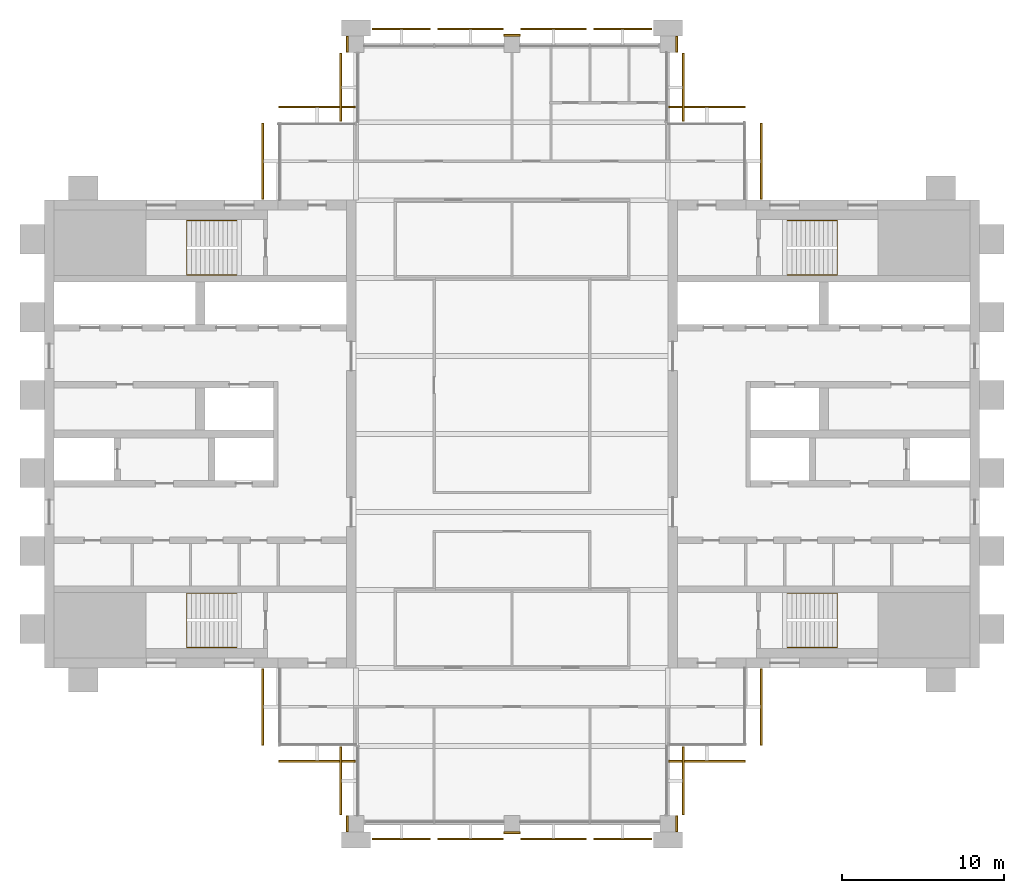
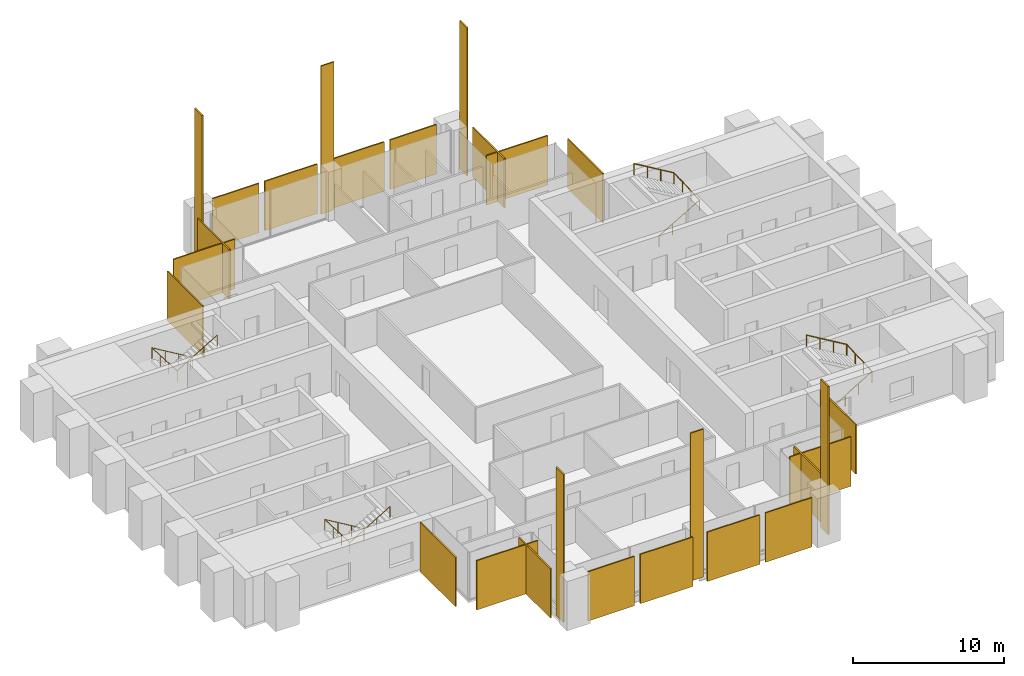
# One storey, part 13 of 13: 26 coverings, 4 railings.
"""IFC4 building model written with IfcOpenShell, lengths in metres."""

from ifc_helpers import new_model, si_unit, direction, frame, origin, origin_2d, place, context, subcontext, project, spatial, polyline, rectangle, circle, outline, extrude, material, layer, layer_set, type_object, element, save


model = new_model("IFC4")

# Units and contexts
model_context = context("Model", 3, precision=1e-05, world=origin(), true_north=direction((0.0, 1.0)))
body_context = subcontext(model_context, "Body", "Model", "MODEL_VIEW")
ifc_project = project(units=[si_unit("LENGTHUNIT", "METRE"), si_unit("AREAUNIT", "SQUARE_METRE"), si_unit("VOLUMEUNIT", "CUBIC_METRE"), si_unit("PLANEANGLEUNIT", "RADIAN"), si_unit("MASSUNIT", "GRAM", prefix="KILO")], contexts=[model_context])

# Site, building, storey
site_placement = place(None, origin())
site = spatial("IfcSite", under=ifc_project, at=site_placement, CompositionType="ELEMENT")
building_placement = place(site_placement, origin())
building = spatial("IfcBuilding", under=site, at=building_placement, Name="Baori Bourse Tower", CompositionType="ELEMENT")
storey_placement = place(building_placement, frame((0.0, 0.0, 330.300048828125)))
storey = spatial("IfcBuildingStorey", under=building, at=storey_placement, Name="L73", CompositionType="ELEMENT", Elevation=330.300048828125)

# Railings
ifc_material_1 = material(Name="Powder-coated steel balustrade", Category="steel")
railing_type = type_object("IfcRailingType", Name="Core stair handrail", PredefinedType="HANDRAIL", material=ifc_material_1)
railing_1_placement = place(storey_placement, frame((11.85009765625, 14.199951171875, 0.16650390625)))
element("IfcRailing", 1, at=railing_1_placement, inside=storey, type_object=railing_type, Name="L73 ST1 stair handrail 1", PredefinedType="HANDRAIL", context=body_context, shape_type="SweptSolid", body=[
    extrude(circle(Radius=0.02392578125, at=origin_2d()), frame((0.0, 0.0, 0.8759765625), z_axis=(-0.85927862911, 0.0, 0.511507807912), x_axis=(0.0, -1.0, 0.0)), (0.0, 0.0, 1.0), 3.58447265625),
    extrude(circle(Radius=0.02392578125, at=origin_2d()), frame((-3.080078125, 0.0, 2.70947265625), z_axis=(0.0, -0.998766999029, 0.049643545903), x_axis=(1.0, 0.0, 0.0)), (0.0, 0.0, 1.0), 3.35400390625),
    extrude(circle(Radius=0.02392578125, at=origin_2d()), frame((-3.080078125, -3.349853515625, 2.8759765625), z_axis=(0.85927862911, 0.0, 0.511507807912), x_axis=(0.0, 1.0, 0.0)), (0.0, 0.0, 1.0), 3.58447265625),
    extrude(circle(Radius=0.02099609375, at=origin_2d()), origin(), (0.0, 0.0, 1.0), 0.851806640625),
    extrude(circle(Radius=0.02099609375, at=origin_2d()), frame((-1.026611328125, 0.0, 0.611083984375)), (0.0, 0.0, 1.0), 0.851806640625),
    extrude(circle(Radius=0.02099609375, at=origin_2d()), frame((-2.053466796875, 0.0, 1.222412109375)), (0.0, 0.0, 1.0), 0.851806640625),
    extrude(circle(Radius=0.02099609375, at=origin_2d()), frame((-3.080078125, 0.0, 1.83349609375)), (0.0, 0.0, 1.0), 0.851806640625),
    extrude(circle(Radius=0.02099609375, at=origin_2d()), frame((-3.080078125, -1.11669921875, 1.888916015625)), (0.0, 0.0, 1.0), 0.851806640625),
    extrude(circle(Radius=0.02099609375, at=origin_2d()), frame((-3.080078125, -2.233154296875, 1.944580078125)), (0.0, 0.0, 1.0), 0.851806640625),
    extrude(circle(Radius=0.02099609375, at=origin_2d()), frame((-3.080078125, -3.349853515625, 2.0)), (0.0, 0.0, 1.0), 0.851806640625),
    extrude(circle(Radius=0.02099609375, at=origin_2d()), frame((-2.053466796875, -3.349853515625, 2.611083984375)), (0.0, 0.0, 1.0), 0.851806640625),
    extrude(circle(Radius=0.02099609375, at=origin_2d()), frame((-1.026611328125, -3.349853515625, 3.222412109375)), (0.0, 0.0, 1.0), 0.851806640625),
    extrude(circle(Radius=0.02099609375, at=origin_2d()), frame((0.0, -3.349853515625, 3.83349609375)), (0.0, 0.0, 1.0), 0.851806640625),
])
railing_2_placement = place(storey_placement, frame((11.85009765625, 37.14990234375, 0.16650390625)))
element("IfcRailing", 2, at=railing_2_placement, inside=storey, type_object=railing_type, Name="L73 ST2 stair handrail 1", PredefinedType="HANDRAIL", context=body_context, shape_type="SweptSolid", body=[
    extrude(circle(Radius=0.02392578125, at=origin_2d()), frame((0.0, 0.0, 0.8759765625), z_axis=(-0.85927862911, 0.0, 0.511507807912), x_axis=(0.0, -1.0, 0.0)), (0.0, 0.0, 1.0), 3.58447265625),
    extrude(circle(Radius=0.02392578125, at=origin_2d()), frame((-3.080078125, 0.0, 2.70947265625), z_axis=(0.0, -0.998766999029, 0.049643545903), x_axis=(1.0, 0.0, 0.0)), (0.0, 0.0, 1.0), 3.35400390625),
    extrude(circle(Radius=0.02392578125, at=origin_2d()), frame((-3.080078125, -3.349853515625, 2.8759765625), z_axis=(0.85927862911, 0.0, 0.511507807912), x_axis=(0.0, 1.0, 0.0)), (0.0, 0.0, 1.0), 3.58447265625),
    extrude(circle(Radius=0.02099609375, at=origin_2d()), origin(), (0.0, 0.0, 1.0), 0.851806640625),
    extrude(circle(Radius=0.02099609375, at=origin_2d()), frame((-1.026611328125, 0.0, 0.611083984375)), (0.0, 0.0, 1.0), 0.851806640625),
    extrude(circle(Radius=0.02099609375, at=origin_2d()), frame((-2.053466796875, 0.0, 1.222412109375)), (0.0, 0.0, 1.0), 0.851806640625),
    extrude(circle(Radius=0.02099609375, at=origin_2d()), frame((-3.080078125, 0.0, 1.83349609375)), (0.0, 0.0, 1.0), 0.851806640625),
    extrude(circle(Radius=0.02099609375, at=origin_2d()), frame((-3.080078125, -1.11669921875, 1.888916015625)), (0.0, 0.0, 1.0), 0.851806640625),
    extrude(circle(Radius=0.02099609375, at=origin_2d()), frame((-3.080078125, -2.233154296875, 1.944580078125)), (0.0, 0.0, 1.0), 0.851806640625),
    extrude(circle(Radius=0.02099609375, at=origin_2d()), frame((-3.080078125, -3.349853515625, 2.0)), (0.0, 0.0, 1.0), 0.851806640625),
    extrude(circle(Radius=0.02099609375, at=origin_2d()), frame((-2.053466796875, -3.349853515625, 2.611083984375)), (0.0, 0.0, 1.0), 0.851806640625),
    extrude(circle(Radius=0.02099609375, at=origin_2d()), frame((-1.026611328125, -3.349853515625, 3.222412109375)), (0.0, 0.0, 1.0), 0.851806640625),
    extrude(circle(Radius=0.02099609375, at=origin_2d()), frame((0.0, -3.349853515625, 3.83349609375)), (0.0, 0.0, 1.0), 0.851806640625),
])
railing_3_placement = place(storey_placement, frame((45.75, 10.85009765625, 0.16650390625)))
element("IfcRailing", 3, at=railing_3_placement, inside=storey, type_object=railing_type, Name="L73 ST3 stair handrail 1", PredefinedType="HANDRAIL", context=body_context, shape_type="SweptSolid", body=[
    extrude(circle(Radius=0.02392578125, at=origin_2d()), frame((0.0, 0.0, 0.8759765625), z_axis=(0.85927862911, 0.0, 0.511507807912), x_axis=(0.0, 1.0, 0.0)), (0.0, 0.0, 1.0), 3.58447265625),
    extrude(circle(Radius=0.02392578125, at=origin_2d()), frame((3.080078125, 0.0, 2.70947265625), z_axis=(0.0, 0.998766999029, 0.049643545903), x_axis=(-1.0, 0.0, 0.0)), (0.0, 0.0, 1.0), 3.35400390625),
    extrude(circle(Radius=0.02392578125, at=origin_2d()), frame((3.080078125, 3.349853515625, 2.8759765625), z_axis=(-0.85927862911, 0.0, 0.511507807912), x_axis=(0.0, -1.0, 0.0)), (0.0, 0.0, 1.0), 3.58447265625),
    extrude(circle(Radius=0.02099609375, at=origin_2d()), origin(), (0.0, 0.0, 1.0), 0.851806640625),
    extrude(circle(Radius=0.02099609375, at=origin_2d()), frame((1.026611328125, 0.0, 0.611083984375)), (0.0, 0.0, 1.0), 0.851806640625),
    extrude(circle(Radius=0.02099609375, at=origin_2d()), frame((2.053466796875, 0.0, 1.222412109375)), (0.0, 0.0, 1.0), 0.851806640625),
    extrude(circle(Radius=0.02099609375, at=origin_2d()), frame((3.080078125, 0.0, 1.83349609375)), (0.0, 0.0, 1.0), 0.851806640625),
    extrude(circle(Radius=0.02099609375, at=origin_2d()), frame((3.080078125, 1.11669921875, 1.888916015625)), (0.0, 0.0, 1.0), 0.851806640625),
    extrude(circle(Radius=0.02099609375, at=origin_2d()), frame((3.080078125, 2.233154296875, 1.944580078125)), (0.0, 0.0, 1.0), 0.851806640625),
    extrude(circle(Radius=0.02099609375, at=origin_2d()), frame((3.080078125, 3.349853515625, 2.0)), (0.0, 0.0, 1.0), 0.851806640625),
    extrude(circle(Radius=0.02099609375, at=origin_2d()), frame((2.053466796875, 3.349853515625, 2.611083984375)), (0.0, 0.0, 1.0), 0.851806640625),
    extrude(circle(Radius=0.02099609375, at=origin_2d()), frame((1.026611328125, 3.349853515625, 3.222412109375)), (0.0, 0.0, 1.0), 0.851806640625),
    extrude(circle(Radius=0.02099609375, at=origin_2d()), frame((0.0, 3.349853515625, 3.83349609375)), (0.0, 0.0, 1.0), 0.851806640625),
])
railing_4_placement = place(storey_placement, frame((45.75, 33.800048828125, 0.16650390625)))
element("IfcRailing", 4, at=railing_4_placement, inside=storey, type_object=railing_type, Name="L73 ST4 stair handrail 1", PredefinedType="HANDRAIL", context=body_context, shape_type="SweptSolid", body=[
    extrude(circle(Radius=0.02392578125, at=origin_2d()), frame((0.0, 0.0, 0.8759765625), z_axis=(0.85927862911, 0.0, 0.511507807912), x_axis=(0.0, 1.0, 0.0)), (0.0, 0.0, 1.0), 3.58447265625),
    extrude(circle(Radius=0.02392578125, at=origin_2d()), frame((3.080078125, 0.0, 2.70947265625), z_axis=(0.0, 0.998766999029, 0.049643545903), x_axis=(-1.0, 0.0, 0.0)), (0.0, 0.0, 1.0), 3.35400390625),
    extrude(circle(Radius=0.02392578125, at=origin_2d()), frame((3.080078125, 3.349853515625, 2.8759765625), z_axis=(-0.85927862911, 0.0, 0.511507807912), x_axis=(0.0, -1.0, 0.0)), (0.0, 0.0, 1.0), 3.58447265625),
    extrude(circle(Radius=0.02099609375, at=origin_2d()), origin(), (0.0, 0.0, 1.0), 0.851806640625),
    extrude(circle(Radius=0.02099609375, at=origin_2d()), frame((1.026611328125, 0.0, 0.611083984375)), (0.0, 0.0, 1.0), 0.851806640625),
    extrude(circle(Radius=0.02099609375, at=origin_2d()), frame((2.053466796875, 0.0, 1.222412109375)), (0.0, 0.0, 1.0), 0.851806640625),
    extrude(circle(Radius=0.02099609375, at=origin_2d()), frame((3.080078125, 0.0, 1.83349609375)), (0.0, 0.0, 1.0), 0.851806640625),
    extrude(circle(Radius=0.02099609375, at=origin_2d()), frame((3.080078125, 1.11669921875, 1.888916015625)), (0.0, 0.0, 1.0), 0.851806640625),
    extrude(circle(Radius=0.02099609375, at=origin_2d()), frame((3.080078125, 2.233154296875, 1.944580078125)), (0.0, 0.0, 1.0), 0.851806640625),
    extrude(circle(Radius=0.02099609375, at=origin_2d()), frame((3.080078125, 3.349853515625, 2.0)), (0.0, 0.0, 1.0), 0.851806640625),
    extrude(circle(Radius=0.02099609375, at=origin_2d()), frame((2.053466796875, 3.349853515625, 2.611083984375)), (0.0, 0.0, 1.0), 0.851806640625),
    extrude(circle(Radius=0.02099609375, at=origin_2d()), frame((1.026611328125, 3.349853515625, 3.222412109375)), (0.0, 0.0, 1.0), 0.851806640625),
    extrude(circle(Radius=0.02099609375, at=origin_2d()), frame((0.0, 3.349853515625, 3.83349609375)), (0.0, 0.0, 1.0), 0.851806640625),
])

# Coverings
ifc_material_2 = material(Name="Pale anodised aluminium", Category="aluminium")
ifc_layer_1 = layer(ifc_material_2, 0.10009765625)
ifc_layer_set_1 = layer_set([ifc_layer_1], Name="OS3 Outer skin screen panel")
covering_type_1 = type_object("IfcCoveringType", Name="OS3 Outer skin screen panel", PredefinedType="CLADDING", material=ifc_layer_set_1)
covering_1_placement = place(storey_placement, frame((0.0, 0.0, -0.16015625)))
element("IfcCovering", 5, at=covering_1_placement, inside=storey, type_object=covering_type_1, Name="Outer skin screen L73 1", PredefinedType="CLADDING", context=body_context, shape_type="SweptSolid", body=[
    extrude(outline(polyline([(44.10009765625, 43.14990234375), (44.10009765625, 38.449951171875), (44.199951171875, 38.449951171875), (44.199951171875, 43.14990234375), (44.10009765625, 43.14990234375)])), origin(), (0.0, 0.0, 1.0), 4.0),
])
covering_2_placement = place(storey_placement, frame((0.0, 0.0, -0.16015625)))
element("IfcCovering", 6, at=covering_2_placement, inside=storey, type_object=covering_type_1, Name="Outer skin screen L73 2", PredefinedType="CLADDING", context=body_context, shape_type="SweptSolid", body=[
    extrude(outline(polyline([(38.449951171875, 44.10009765625), (43.14990234375, 44.10009765625), (43.14990234375, 44.199951171875), (38.449951171875, 44.199951171875), (38.449951171875, 44.10009765625)])), origin(), (0.0, 0.0, 1.0), 4.0),
])
covering_3_placement = place(storey_placement, frame((0.0, 0.0, -0.16015625)))
element("IfcCovering", 7, at=covering_3_placement, inside=storey, type_object=covering_type_1, Name="Outer skin screen L73 3", PredefinedType="CLADDING", context=body_context, shape_type="SweptSolid", body=[
    extrude(outline(polyline([(39.300048828125, 47.449951171875), (39.300048828125, 43.25), (39.39990234375, 43.25), (39.39990234375, 47.449951171875), (39.300048828125, 47.449951171875)])), origin(), (0.0, 0.0, 1.0), 4.0),
])
covering_4_placement = place(storey_placement, frame((0.0, 0.0, -0.16015625)))
element("IfcCovering", 8, at=covering_4_placement, inside=storey, type_object=covering_type_1, Name="Outer skin screen L73 4", PredefinedType="CLADDING", context=body_context, shape_type="SweptSolid", body=[
    extrude(outline(polyline([(33.824951171875, 48.89990234375), (37.39990234375, 48.89990234375), (37.39990234375, 49.0), (33.824951171875, 49.0), (33.824951171875, 48.89990234375)])), origin(), (0.0, 0.0, 1.0), 4.0),
])
covering_5_placement = place(storey_placement, frame((0.0, 0.0, -0.16015625)))
element("IfcCovering", 9, at=covering_5_placement, inside=storey, type_object=covering_type_1, Name="Outer skin screen L73 5", PredefinedType="CLADDING", context=body_context, shape_type="SweptSolid", body=[
    extrude(outline(polyline([(29.35009765625, 48.89990234375), (33.375, 48.89990234375), (33.375, 49.0), (29.35009765625, 49.0), (29.35009765625, 48.89990234375)])), origin(), (0.0, 0.0, 1.0), 4.0),
])
covering_6_placement = place(storey_placement, frame((0.0, 0.0, -0.16015625)))
element("IfcCovering", 10, at=covering_6_placement, inside=storey, type_object=covering_type_1, Name="Outer skin screen L73 6", PredefinedType="CLADDING", context=body_context, shape_type="SweptSolid", body=[
    extrude(outline(polyline([(24.22509765625, 48.89990234375), (28.25, 48.89990234375), (28.25, 49.0), (24.22509765625, 49.0), (24.22509765625, 48.89990234375)])), origin(), (0.0, 0.0, 1.0), 4.0),
])
covering_7_placement = place(storey_placement, frame((0.0, 0.0, -0.16015625)))
element("IfcCovering", 11, at=covering_7_placement, inside=storey, type_object=covering_type_1, Name="Outer skin screen L73 7", PredefinedType="CLADDING", context=body_context, shape_type="SweptSolid", body=[
    extrude(outline(polyline([(20.199951171875, 48.89990234375), (23.77490234375, 48.89990234375), (23.77490234375, 49.0), (20.199951171875, 49.0), (20.199951171875, 48.89990234375)])), origin(), (0.0, 0.0, 1.0), 4.0),
])
covering_8_placement = place(storey_placement, frame((0.0, 0.0, -0.16015625)))
element("IfcCovering", 12, at=covering_8_placement, inside=storey, type_object=covering_type_1, Name="Outer skin screen L73 8", PredefinedType="CLADDING", context=body_context, shape_type="SweptSolid", body=[
    extrude(outline(polyline([(18.300048828125, 43.25), (18.300048828125, 47.449951171875), (18.199951171875, 47.449951171875), (18.199951171875, 43.25), (18.300048828125, 43.25)])), origin(), (0.0, 0.0, 1.0), 4.0),
])
covering_9_placement = place(storey_placement, frame((0.0, 0.0, -0.16015625)))
element("IfcCovering", 13, at=covering_9_placement, inside=storey, type_object=covering_type_1, Name="Outer skin screen L73 9", PredefinedType="CLADDING", context=body_context, shape_type="SweptSolid", body=[
    extrude(outline(polyline([(14.449951171875, 44.10009765625), (19.14990234375, 44.10009765625), (19.14990234375, 44.199951171875), (14.449951171875, 44.199951171875), (14.449951171875, 44.10009765625)])), origin(), (0.0, 0.0, 1.0), 4.0),
])
covering_10_placement = place(storey_placement, frame((0.0, 0.0, -0.16015625)))
element("IfcCovering", 14, at=covering_10_placement, inside=storey, type_object=covering_type_1, Name="Outer skin screen L73 10", PredefinedType="CLADDING", context=body_context, shape_type="SweptSolid", body=[
    extrude(outline(polyline([(13.5, 38.449951171875), (13.5, 43.14990234375), (13.39990234375, 43.14990234375), (13.39990234375, 38.449951171875), (13.5, 38.449951171875)])), origin(), (0.0, 0.0, 1.0), 4.0),
])
covering_11_placement = place(storey_placement, frame((0.0, 0.0, -0.16015625)))
element("IfcCovering", 15, at=covering_11_placement, inside=storey, type_object=covering_type_1, Name="Outer skin screen L73 11", PredefinedType="CLADDING", context=body_context, shape_type="SweptSolid", body=[
    extrude(outline(polyline([(13.5, 4.85009765625), (13.5, 9.550048828125), (13.39990234375, 9.550048828125), (13.39990234375, 4.85009765625), (13.5, 4.85009765625)])), origin(), (0.0, 0.0, 1.0), 4.0),
])
covering_12_placement = place(storey_placement, frame((0.0, 0.0, -0.16015625)))
element("IfcCovering", 16, at=covering_12_placement, inside=storey, type_object=covering_type_1, Name="Outer skin screen L73 12", PredefinedType="CLADDING", context=body_context, shape_type="SweptSolid", body=[
    extrude(outline(polyline([(19.14990234375, 3.89990234375), (14.449951171875, 3.89990234375), (14.449951171875, 3.800048828125), (19.14990234375, 3.800048828125), (19.14990234375, 3.89990234375)])), origin(), (0.0, 0.0, 1.0), 4.0),
])
covering_13_placement = place(storey_placement, frame((0.0, 0.0, -0.16015625)))
element("IfcCovering", 17, at=covering_13_placement, inside=storey, type_object=covering_type_1, Name="Outer skin screen L73 13", PredefinedType="CLADDING", context=body_context, shape_type="SweptSolid", body=[
    extrude(outline(polyline([(18.300048828125, 0.550048828125), (18.300048828125, 4.75), (18.199951171875, 4.75), (18.199951171875, 0.550048828125), (18.300048828125, 0.550048828125)])), origin(), (0.0, 0.0, 1.0), 4.0),
])
covering_14_placement = place(storey_placement, frame((0.0, 0.0, -0.16015625)))
element("IfcCovering", 18, at=covering_14_placement, inside=storey, type_object=covering_type_1, Name="Outer skin screen L73 14", PredefinedType="CLADDING", context=body_context, shape_type="SweptSolid", body=[
    extrude(outline(polyline([(23.77490234375, -0.89990234375), (20.199951171875, -0.89990234375), (20.199951171875, -1.0), (23.77490234375, -1.0), (23.77490234375, -0.89990234375)])), origin(), (0.0, 0.0, 1.0), 4.0),
])
covering_15_placement = place(storey_placement, frame((0.0, 0.0, -0.16015625)))
element("IfcCovering", 19, at=covering_15_placement, inside=storey, type_object=covering_type_1, Name="Outer skin screen L73 15", PredefinedType="CLADDING", context=body_context, shape_type="SweptSolid", body=[
    extrude(outline(polyline([(28.25, -0.89990234375), (24.22509765625, -0.89990234375), (24.22509765625, -1.0), (28.25, -1.0), (28.25, -0.89990234375)])), origin(), (0.0, 0.0, 1.0), 4.0),
])
covering_16_placement = place(storey_placement, frame((0.0, 0.0, -0.16015625)))
element("IfcCovering", 20, at=covering_16_placement, inside=storey, type_object=covering_type_1, Name="Outer skin screen L73 16", PredefinedType="CLADDING", context=body_context, shape_type="SweptSolid", body=[
    extrude(outline(polyline([(33.375, -0.89990234375), (29.35009765625, -0.89990234375), (29.35009765625, -1.0), (33.375, -1.0), (33.375, -0.89990234375)])), origin(), (0.0, 0.0, 1.0), 4.0),
])
covering_17_placement = place(storey_placement, frame((0.0, 0.0, -0.16015625)))
element("IfcCovering", 21, at=covering_17_placement, inside=storey, type_object=covering_type_1, Name="Outer skin screen L73 17", PredefinedType="CLADDING", context=body_context, shape_type="SweptSolid", body=[
    extrude(outline(polyline([(37.39990234375, -0.89990234375), (33.824951171875, -0.89990234375), (33.824951171875, -1.0), (37.39990234375, -1.0), (37.39990234375, -0.89990234375)])), origin(), (0.0, 0.0, 1.0), 4.0),
])
covering_18_placement = place(storey_placement, frame((0.0, 0.0, -0.16015625)))
element("IfcCovering", 22, at=covering_18_placement, inside=storey, type_object=covering_type_1, Name="Outer skin screen L73 18", PredefinedType="CLADDING", context=body_context, shape_type="SweptSolid", body=[
    extrude(outline(polyline([(39.300048828125, 4.75), (39.300048828125, 0.550048828125), (39.39990234375, 0.550048828125), (39.39990234375, 4.75), (39.300048828125, 4.75)])), origin(), (0.0, 0.0, 1.0), 4.0),
])
covering_19_placement = place(storey_placement, frame((0.0, 0.0, -0.16015625)))
element("IfcCovering", 23, at=covering_19_placement, inside=storey, type_object=covering_type_1, Name="Outer skin screen L73 19", PredefinedType="CLADDING", context=body_context, shape_type="SweptSolid", body=[
    extrude(outline(polyline([(43.14990234375, 3.89990234375), (38.449951171875, 3.89990234375), (38.449951171875, 3.800048828125), (43.14990234375, 3.800048828125), (43.14990234375, 3.89990234375)])), origin(), (0.0, 0.0, 1.0), 4.0),
])
covering_20_placement = place(storey_placement, frame((0.0, 0.0, -0.16015625)))
element("IfcCovering", 24, at=covering_20_placement, inside=storey, type_object=covering_type_1, Name="Outer skin screen L73 20", PredefinedType="CLADDING", context=body_context, shape_type="SweptSolid", body=[
    extrude(outline(polyline([(44.10009765625, 9.550048828125), (44.10009765625, 4.85009765625), (44.199951171875, 4.85009765625), (44.199951171875, 9.550048828125), (44.10009765625, 9.550048828125)])), origin(), (0.0, 0.0, 1.0), 4.0),
])
ifc_material_3 = material(Name="Face brick", Category="masonry")
ifc_layer_2 = layer(ifc_material_3, 0.110107421875)
ifc_layer_set_2 = layer_set([ifc_layer_2], Name="PC1 Brick pier facing")
covering_type_2 = type_object("IfcCoveringType", Name="PC1 Brick pier facing", PredefinedType="CLADDING", material=ifc_layer_set_2)
covering_21_placement = place(storey_placement, frame((18.64501953125, 0.0, 0.0), z_axis=(0.0, 0.0, 1.0), x_axis=(1.0, 0.0, 0.0)))
element("IfcCovering", 25, at=covering_21_placement, inside=storey, type_object=covering_type_2, Name="Brick pier facing L73 1", PredefinedType="CLADDING", context=body_context, shape_type="SweptSolid", body=[
    extrude(rectangle(XDim=0.110107421875, YDim=1.0, at=origin_2d()), origin(), (0.0, 0.0, 1.0), 12.0),
])
covering_22_placement = place(storey_placement, frame((28.800048828125, -0.554931640625, 0.0), z_axis=(0.0, 0.0, 1.0), x_axis=(1.0, 0.0, 0.0)))
element("IfcCovering", 26, at=covering_22_placement, inside=storey, type_object=covering_type_2, Name="Brick pier facing L73 2", PredefinedType="CLADDING", context=body_context, shape_type="SweptSolid", body=[
    extrude(rectangle(XDim=1.0, YDim=0.110107421875, at=origin_2d()), origin(), (0.0, 0.0, 1.0), 12.0),
])
for number, where, z_axis, x_axis, name in (
    (27, (38.955078125, 0.0, 0.0), (0.0, 0.0, 1.0), (1.0, 0.0, 0.0), "Brick pier facing L73 3"),
    (28, (18.64501953125, 48.0, 0.0), (0.0, 0.0, 1.0), (1.0, 0.0, 0.0), "Brick pier facing L73 4"),
):
    element("IfcCovering", number, at=place(storey_placement, frame(where, z_axis=z_axis, x_axis=x_axis)), inside=storey, type_object=covering_type_2, Name=name, PredefinedType="CLADDING", context=body_context, shape_type="SweptSolid", body=[
        extrude(rectangle(XDim=0.110107421875, YDim=1.0, at=origin_2d()), origin(), (0.0, 0.0, 1.0), 12.0),
    ])
covering_23_placement = place(storey_placement, frame((28.800048828125, 48.554931640625, 0.0), z_axis=(0.0, 0.0, 1.0), x_axis=(1.0, 0.0, 0.0)))
element("IfcCovering", 29, at=covering_23_placement, inside=storey, type_object=covering_type_2, Name="Brick pier facing L73 5", PredefinedType="CLADDING", context=body_context, shape_type="SweptSolid", body=[
    extrude(rectangle(XDim=1.0, YDim=0.110107421875, at=origin_2d()), origin(), (0.0, 0.0, 1.0), 12.0),
])
covering_24_placement = place(storey_placement, frame((38.955078125, 48.0, 0.0), z_axis=(0.0, 0.0, 1.0), x_axis=(1.0, 0.0, 0.0)))
element("IfcCovering", 30, at=covering_24_placement, inside=storey, type_object=covering_type_2, Name="Brick pier facing L73 6", PredefinedType="CLADDING", context=body_context, shape_type="SweptSolid", body=[
    extrude(rectangle(XDim=0.110107421875, YDim=1.0, at=origin_2d()), origin(), (0.0, 0.0, 1.0), 12.0),
])

save(model, "model.ifc")
